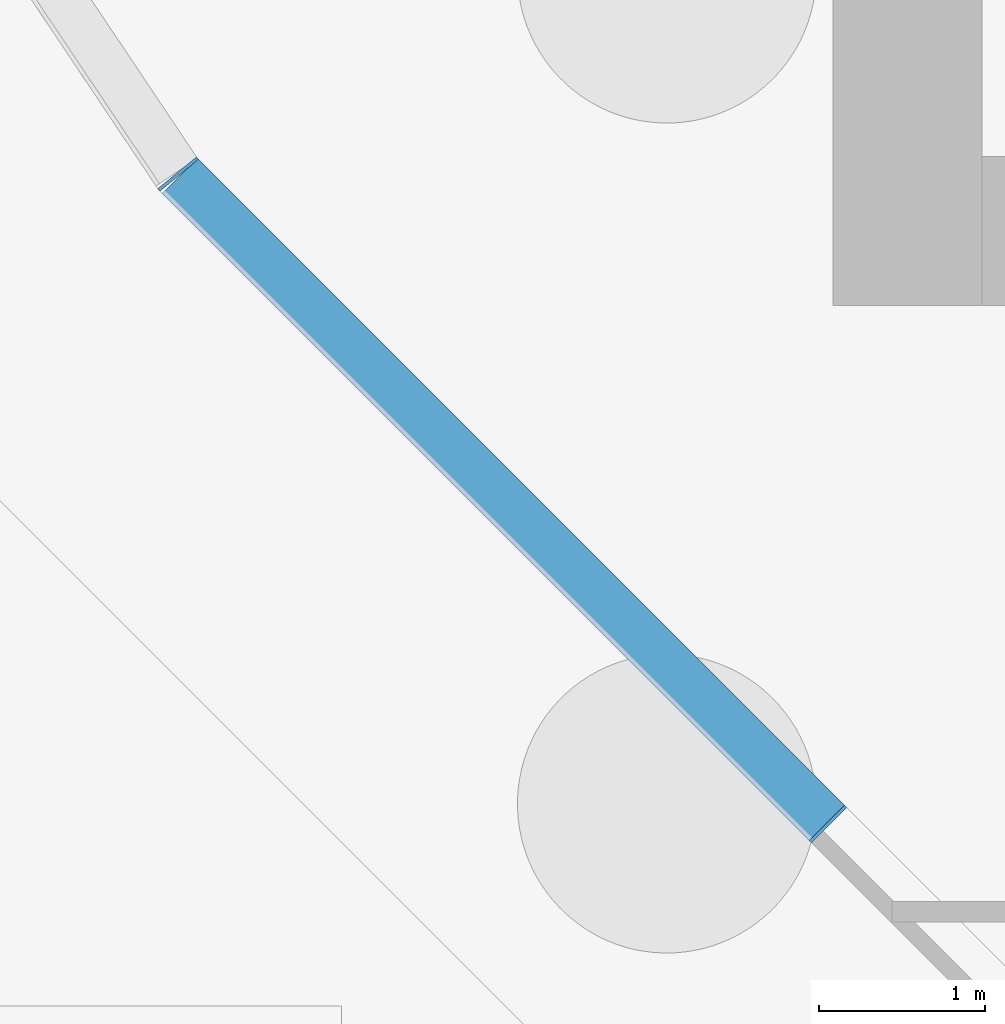
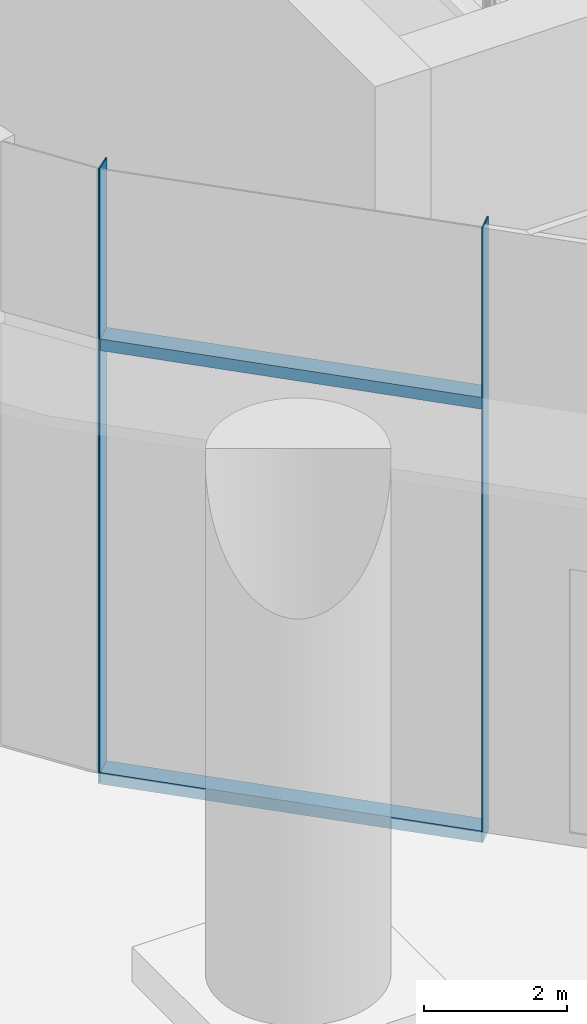
# One storey, part 9 of 31: 4 members, 2 elements without a shape of their own.
"""IFC4 building model written with IfcOpenShell, lengths in metres."""

from ifc_helpers import new_model, si_unit, direction, frame, origin, origin_2d, place, context, subcontext, project, spatial, rectangle, extrude, material, material_profile, profile_set, type_object, element, aggregate, save


model = new_model("IFC4")

# Units and contexts
model_context = context("Model", 3, precision=1e-05, world=origin(), true_north=direction((0.0, 1.0)))
body_context = subcontext(model_context, "Body", "Model", "MODEL_VIEW")
ifc_project = project(units=[si_unit("LENGTHUNIT", "METRE"), si_unit("AREAUNIT", "SQUARE_METRE"), si_unit("VOLUMEUNIT", "CUBIC_METRE"), si_unit("PLANEANGLEUNIT", "RADIAN"), si_unit("MASSUNIT", "GRAM", prefix="KILO")], contexts=[model_context])

# Site, building, storey
site_placement = place(None, origin())
site = spatial("IfcSite", under=ifc_project, at=site_placement, CompositionType="ELEMENT")
building_placement = place(site_placement, origin())
building = spatial("IfcBuilding", under=site, at=building_placement, Name="Orlundy Tower", CompositionType="ELEMENT")
storey_placement = place(building_placement, origin())
storey = spatial("IfcBuildingStorey", under=building, at=storey_placement, Name="L00", CompositionType="ELEMENT", Elevation=0.0)

# Curtain wall, member
ifc_material_1 = material(Name="Aluminium bronze anodised", Category="aluminium")
curtain_wall_type = type_object("IfcCurtainWallType", Name="CW3 wall", PredefinedType="NOTDEFINED", material=ifc_material_1)
curtain_wall_1_placement = place(storey_placement, origin())
curtain_wall_1 = element("IfcCurtainWall", 1, at=curtain_wall_1_placement, inside=storey, type_object=curtain_wall_type, Name="CW3 run 02", PredefinedType="NOTDEFINED")
ifc_material_2 = material(Name="Toughened glass", Category="glass")
ifc_material_profile_1 = material_profile(ifc_material_2, rectangle(XDim=0.300048828125, YDim=0.01904296875, at=origin_2d()), Name="CW3 glass fin 19x300")
ifc_profile_set_1 = profile_set([ifc_material_profile_1], Name="Toughened glass")
member_type_1 = type_object("IfcMemberType", Name="CW3 glass fin 19x300", PredefinedType="MULLION", material=ifc_profile_set_1)
member_1_placement = place(storey_placement, frame((-19.02880859375, -15.123291015625, -0.39990234375), z_axis=(0.0, 0.0, 1.0), x_axis=(-0.707106781187, -0.707106781187, 0.0)))
member_1 = element("IfcMember", 2, at=member_1_placement, type_object=member_type_1, Name="CW3 mullion 5", PredefinedType="MULLION", context=body_context, shape_type="SweptSolid", body=[
    extrude(rectangle(XDim=0.300048828125, YDim=0.01904296875, at=origin_2d()), origin(), (0.0, 0.0, 1.0), 10.5),
])

curtain_wall_2_placement = place(storey_placement, origin())
curtain_wall_2 = element("IfcCurtainWall", 3, at=curtain_wall_2_placement, inside=storey, type_object=curtain_wall_type, Name="CW3 run 03", PredefinedType="NOTDEFINED")
member_2_placement = place(storey_placement, frame((-22.944580078125, -11.207763671875, -0.39990234375), z_axis=(0.0, 0.0, 1.0), x_axis=(-0.772778491315, -0.63467582541, 0.0)))
member_2 = element("IfcMember", 4, at=member_2_placement, type_object=member_type_1, Name="CW3 mullion 6", PredefinedType="MULLION", context=body_context, shape_type="SweptSolid", body=[
    extrude(rectangle(XDim=0.300048828125, YDim=0.01904296875, at=origin_2d()), origin(), (0.0, 0.0, 1.0), 10.5),
])
aggregate(curtain_wall_2, [member_2])

# Member
ifc_material_3 = material(Name="Aluminium bronze anodised", Category="aluminium")
ifc_material_profile_2 = material_profile(ifc_material_3, rectangle(XDim=0.300048828125, YDim=0.199951171875, at=origin_2d()), Name="CW3 transom 300x200")
ifc_profile_set_2 = profile_set([ifc_material_profile_2], Name="Aluminium bronze anodised")
member_type_2 = type_object("IfcMemberType", Name="CW3 transom 300x200", PredefinedType="USERDEFINED", material=ifc_profile_set_2)
member_3_placement = place(storey_placement, frame((-19.035400390625, -15.11669921875, -0.300048828125), z_axis=(-0.707106781187, 0.707106781187, 0.0), x_axis=(-0.707106781187, -0.707106781187, 0.0)))
member_3 = element("IfcMember", 5, at=member_3_placement, type_object=member_type_2, Name="CW3 transom", ObjectType="TRANSOM", PredefinedType="USERDEFINED", context=body_context, shape_type="SweptSolid", body=[
    extrude(rectangle(XDim=0.300048828125, YDim=0.199951171875, at=origin_2d()), origin(), (0.0, 0.0, 1.0), 5.513671875),
])

member_4_placement = place(storey_placement, frame((-19.035400390625, -15.11669921875, 7.10009765625), z_axis=(-0.707106781187, 0.707106781187, 0.0), x_axis=(-0.707106781187, -0.707106781187, 0.0)))
member_4 = element("IfcMember", 6, at=member_4_placement, type_object=member_type_2, Name="CW3 transom", ObjectType="TRANSOM", PredefinedType="USERDEFINED", context=body_context, shape_type="SweptSolid", body=[
    extrude(rectangle(XDim=0.300048828125, YDim=0.199951171875, at=origin_2d()), origin(), (0.0, 0.0, 1.0), 5.513671875),
])

aggregate(curtain_wall_1, [member_1, member_3, member_4])

save(model, "model.ifc")
